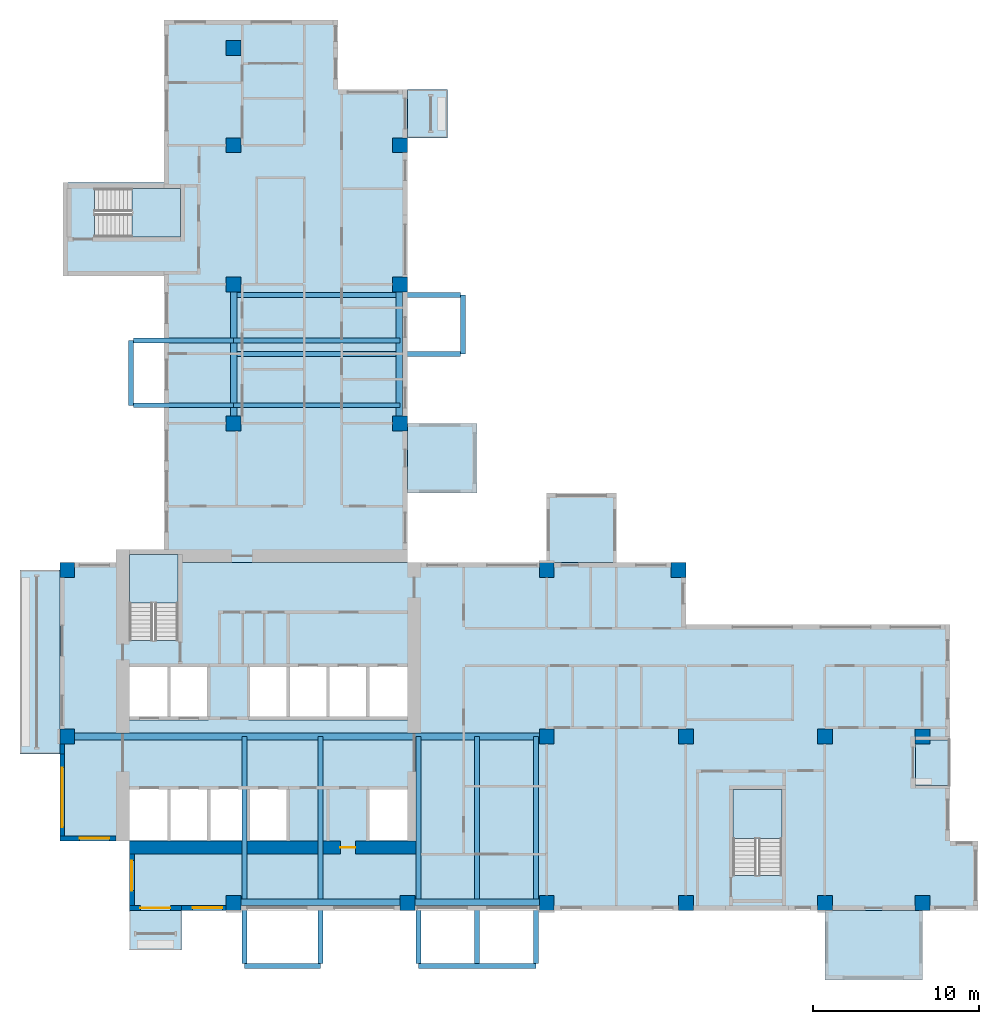
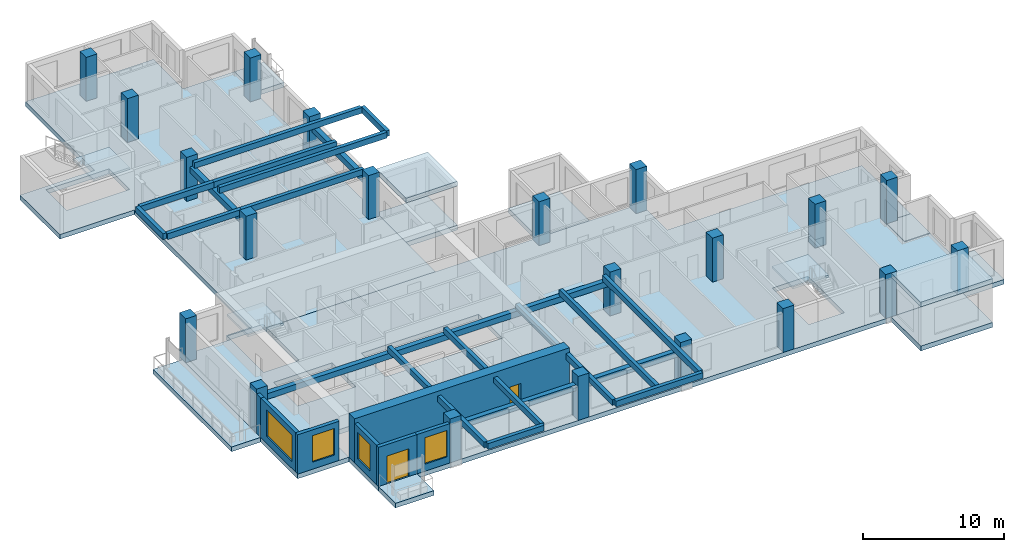
# One storey, part 1 of 12: 21 columns, 20 beams, 14 slabs, 7 walls, 4 windows, 2 doors, 6 openings, 3 elements without a shape of their own.
"""IFC4 building model written with IfcOpenShell, lengths in metres."""

from ifc_helpers import new_model, si_unit, direction, frame, frame_2d, origin, origin_2d, place, context, subcontext, project, spatial, polyline, rectangle, outline, extrude, source, transform, mapped, material, layer, layer_set, material_profile, profile_set, type_object, element, fill, aggregate, save


model = new_model("IFC4")

# Units and contexts
model_context = context("Model", 3, precision=1e-05, world=origin(), true_north=direction((0.0, 1.0)))
body_context = subcontext(model_context, "Body", "Model", "MODEL_VIEW")
ifc_project = project(units=[si_unit("LENGTHUNIT", "METRE"), si_unit("AREAUNIT", "SQUARE_METRE"), si_unit("VOLUMEUNIT", "CUBIC_METRE"), si_unit("PLANEANGLEUNIT", "RADIAN"), si_unit("MASSUNIT", "GRAM", prefix="KILO")], contexts=[model_context])

# Site, building, storey
site_placement = place(None, origin())
site = spatial("IfcSite", under=ifc_project, at=site_placement, CompositionType="ELEMENT")
building_placement = place(site_placement, origin())
building = spatial("IfcBuilding", under=site, at=building_placement, Name="Aurelian Terraces", CompositionType="ELEMENT")
storey_placement = place(building_placement, frame((0.0, 0.0, 215.8)))
storey = spatial("IfcBuildingStorey", under=building, at=storey_placement, Name="L48", CompositionType="ELEMENT", Elevation=215.8)

# Columns
ifc_material_1 = material(Name="Concrete fc' 70 MPa", Category="concrete")
ifc_material_profile_1 = material_profile(ifc_material_1, rectangle(XDim=0.9, YDim=0.9, at=origin_2d()))
ifc_profile_set_1 = profile_set([ifc_material_profile_1], Name="Concrete fc' 70 MPa")
column_type = type_object("IfcColumnType", Name="RC COLUMN 900X900 FC70", PredefinedType="COLUMN", material=ifc_profile_set_1)
shared_shape_1 = source(origin(), body_context, "Body", "SweptSolid", [
    extrude(rectangle(XDim=0.9, YDim=0.9, at=origin_2d()), origin(), (0.0, 0.0, 1.0), 3.8),
])
for number, where, z_axis, x_axis, name in (
    (1, (10.5, 0.45, 0.0), (0.0, 0.0, 1.0), (1.0, 0.0, 0.0), "Column 2/A L48"),
    (2, (21.0, 0.45, 0.0), (0.0, 0.0, 1.0), (1.0, 0.0, 0.0), "Column 3/A L48"),
    (3, (29.4, 0.45, 0.0), (0.0, 0.0, 1.0), (1.0, 0.0, 0.0), "Column 4/A L48"),
    (4, (37.8, 0.45, 0.0), (0.0, 0.0, 1.0), (1.0, 0.0, 0.0), "Column 5/A L48"),
    (5, (46.2, 0.45, 0.0), (0.0, 0.0, 1.0), (1.0, 0.0, 0.0), "Column 6/A L48"),
    (6, (52.08, 0.45, 0.0), (0.0, 0.0, 1.0), (1.0, 0.0, 0.0), "Column 7/A L48"),
    (7, (0.45, 10.5, 0.0), (0.0, 0.0, 1.0), (1.0, 0.0, 0.0), "Column 1/B L48"),
    (8, (29.4, 10.5, 0.0), (0.0, 0.0, 1.0), (1.0, 0.0, 0.0), "Column 4/B L48"),
    (9, (37.8, 10.5, 0.0), (0.0, 0.0, 1.0), (1.0, 0.0, 0.0), "Column 5/B L48"),
    (10, (46.2, 10.5, 0.0), (0.0, 0.0, 1.0), (1.0, 0.0, 0.0), "Column 6/B L48"),
    (11, (52.08, 10.5, 0.0), (0.0, 0.0, 1.0), (1.0, 0.0, 0.0), "Column 7/B L48"),
    (12, (0.45, 20.55, 0.0), (0.0, 0.0, 1.0), (1.0, 0.0, 0.0), "Column 1/C L48"),
    (13, (29.4, 20.55, 0.0), (0.0, 0.0, 1.0), (1.0, 0.0, 0.0), "Column 4/C L48"),
    (14, (37.35, 20.55, 0.0), (0.0, 0.0, 1.0), (1.0, 0.0, 0.0), "Column 5/C L48"),
    (15, (10.5, 29.4, 0.0), (0.0, 0.0, 1.0), (1.0, 0.0, 0.0), "Column 2/D L48"),
    (16, (20.55, 29.4, 0.0), (0.0, 0.0, 1.0), (1.0, 0.0, 0.0), "Column 3/D L48"),
    (17, (10.5, 37.8, 0.0), (0.0, 0.0, 1.0), (1.0, 0.0, 0.0), "Column 2/E L48"),
    (18, (20.55, 37.8, 0.0), (0.0, 0.0, 1.0), (1.0, 0.0, 0.0), "Column 3/E L48"),
    (19, (10.5, 46.2, 0.0), (0.0, 0.0, 1.0), (1.0, 0.0, 0.0), "Column 2/F L48"),
    (20, (20.55, 46.2, 0.0), (0.0, 0.0, 1.0), (1.0, 0.0, 0.0), "Column 3/F L48"),
    (21, (10.5, 52.08, 0.0), (0.0, 0.0, 1.0), (1.0, 0.0, 0.0), "Column 2/G L48"),
):
    element("IfcColumn", number, at=place(storey_placement, frame(where, z_axis=z_axis, x_axis=x_axis)), inside=storey, type_object=column_type, Name=name, PredefinedType="COLUMN", context=body_context, shape_type="MappedRepresentation", body=[
        mapped(shared_shape_1, transform((0.0, 0.0, 0.0), scale=1.0)),
    ])

# Beams
ifc_material_2 = material(Name="Concrete fc' 40 MPa", Category="concrete")
ifc_material_profile_2 = material_profile(ifc_material_2, rectangle(XDim=0.3, YDim=0.5, at=origin_2d()))
ifc_profile_set_2 = profile_set([ifc_material_profile_2], Name="Concrete fc' 40 MPa")
beam_type_1 = type_object("IfcBeamType", Name="CONCRETE CANTILEVER BEAM 300X500", PredefinedType="BEAM", material=ifc_profile_set_2)
beam_1_placement = place(storey_placement, frame((21.65, -3.35, 3.15), z_axis=(1.0, 0.0, 0.0), x_axis=(0.0, 1.0, 0.0)))
element("IfcBeam", 22, at=beam_1_placement, inside=storey, type_object=beam_type_1, Name="Box tip beam J71", PredefinedType="BEAM", context=body_context, shape_type="SweptSolid", body=[
    extrude(rectangle(XDim=0.3, YDim=0.5, at=origin_2d()), origin(), (0.0, 0.0, 1.0), 7.1),
])
ifc_material_profile_3 = material_profile(ifc_material_2, rectangle(XDim=0.3, YDim=0.5, at=origin_2d()))
ifc_profile_set_3 = profile_set([ifc_material_profile_3], Name="Concrete fc' 40 MPa")
beam_type_2 = type_object("IfcBeamType", Name="CONCRETE BOX CANTILEVER BEAM 300X500", PredefinedType="BEAM", material=ifc_profile_set_3)
shared_shape_2 = source(origin(), body_context, "Body", "SweptSolid", [
    extrude(rectangle(XDim=0.3, YDim=0.5, at=origin_2d()), origin(), (0.0, 0.0, 1.0), 6.05),
])
for number, where, z_axis, x_axis, name in (
    (23, (4.45, 30.5, 3.15), (1.0, 0.0, 0.0), (0.0, 1.0, 0.0), "Box cantilever beam J73.1"),
    (24, (4.45, 34.4, 3.15), (1.0, 0.0, 0.0), (0.0, 1.0, 0.0), "Box cantilever beam J73.2"),
):
    element("IfcBeam", number, at=place(storey_placement, frame(where, z_axis=z_axis, x_axis=x_axis)), inside=storey, type_object=beam_type_2, Name=name, PredefinedType="BEAM", context=body_context, shape_type="MappedRepresentation", body=[
        mapped(shared_shape_2, transform((0.0, 0.0, 0.0), scale=1.0)),
    ])
shared_shape_3 = source(origin(), body_context, "Body", "SweptSolid", [
    extrude(rectangle(XDim=0.3, YDim=0.5, at=origin_2d()), origin(), (0.0, 0.0, 1.0), 3.9),
])
beam_2_placement = place(storey_placement, frame((4.3, 30.5, 3.15), z_axis=(0.0, 1.0, 0.0), x_axis=(-1.0, 0.0, 0.0)))
element("IfcBeam", 25, at=beam_2_placement, inside=storey, type_object=beam_type_1, Name="Box tip beam J73", PredefinedType="BEAM", context=body_context, shape_type="MappedRepresentation", body=[
    mapped(shared_shape_3, transform((0.0, 0.0, 0.0), scale=1.0)),
])
shared_shape_4 = source(origin(), body_context, "Body", "SweptSolid", [
    extrude(rectangle(XDim=0.3, YDim=0.5, at=origin_2d()), origin(), (0.0, 0.0, 1.0), 13.7),
])
for number, where, z_axis, x_axis, name in (
    (26, (11.15, -3.2, 3.15), (0.0, 1.0, 0.0), (-1.0, 0.0, 0.0), "Box cantilever beam J70.1"),
    (27, (15.75, -3.2, 3.15), (0.0, 1.0, 0.0), (-1.0, 0.0, 0.0), "Box cantilever beam J70.2"),
    (28, (21.65, -3.2, 3.15), (0.0, 1.0, 0.0), (-1.0, 0.0, 0.0), "Box cantilever beam J71.1"),
    (29, (28.75, -3.2, 3.15), (0.0, 1.0, 0.0), (-1.0, 0.0, 0.0), "Box cantilever beam J71.2"),
    (30, (25.2, -3.2, 3.15), (0.0, 1.0, 0.0), (-1.0, 0.0, 0.0), "Box cantilever beam J71.m1"),
    (31, (24.2, 33.6, 3.15), (-1.0, 0.0, 0.0), (0.0, -1.0, 0.0), "Box cantilever beam J72.1"),
    (32, (24.2, 37.15, 3.15), (-1.0, 0.0, 0.0), (0.0, -1.0, 0.0), "Box cantilever beam J72.2"),
):
    element("IfcBeam", number, at=place(storey_placement, frame(where, z_axis=z_axis, x_axis=x_axis)), inside=storey, type_object=beam_type_1, Name=name, PredefinedType="BEAM", context=body_context, shape_type="MappedRepresentation", body=[
        mapped(shared_shape_4, transform((0.0, 0.0, 0.0), scale=1.0)),
    ])
ifc_material_profile_4 = material_profile(ifc_material_2, rectangle(XDim=0.4, YDim=0.5, at=origin_2d()))
ifc_profile_set_4 = profile_set([ifc_material_profile_4], Name="Concrete fc' 40 MPa")
beam_type_3 = type_object("IfcBeamType", Name="CONCRETE EDGE GIRDER 400X500", PredefinedType="BEAM", material=ifc_profile_set_4)
shared_shape_5 = source(origin(), body_context, "Body", "SweptSolid", [
    extrude(rectangle(XDim=0.4, YDim=0.5, at=origin_2d()), origin(), (0.0, 0.0, 1.0), 7.5),
])
for number, where, z_axis, x_axis, name in (
    (33, (21.45, 0.5, 2.65), (1.0, 0.0, 0.0), (0.0, 1.0, 0.0), "Box girder L48 O142"),
    (34, (20.5, 29.85, 2.65), (0.0, 1.0, 0.0), (-1.0, 0.0, 0.0), "Box girder L48 O143"),
    (35, (10.5, 29.85, 2.65), (0.0, 1.0, 0.0), (-1.0, 0.0, 0.0), "Box girder L48 I144"),
):
    element("IfcBeam", number, at=place(storey_placement, frame(where, z_axis=z_axis, x_axis=x_axis)), inside=storey, type_object=beam_type_3, Name=name, PredefinedType="BEAM", context=body_context, shape_type="MappedRepresentation", body=[
        mapped(shared_shape_5, transform((0.0, 0.0, 0.0), scale=1.0)),
    ])
shared_shape_6 = source(origin(), body_context, "Body", "SweptSolid", [
    extrude(rectangle(XDim=0.3, YDim=0.5, at=origin_2d()), origin(), (0.0, 0.0, 1.0), 3.55),
])
beam_3_placement = place(storey_placement, frame((24.35, 33.6, 3.15), z_axis=(0.0, 1.0, 0.0), x_axis=(-1.0, 0.0, 0.0)))
element("IfcBeam", 36, at=beam_3_placement, inside=storey, type_object=beam_type_1, Name="Box tip beam J72", PredefinedType="BEAM", context=body_context, shape_type="MappedRepresentation", body=[
    mapped(shared_shape_6, transform((0.0, 0.0, 0.0), scale=1.0)),
])
shared_shape_7 = source(origin(), body_context, "Body", "SweptSolid", [
    extrude(rectangle(XDim=0.4, YDim=0.5, at=origin_2d()), origin(), (0.0, 0.0, 1.0), 28.05),
])
beam_4_placement = place(storey_placement, frame((0.9, 10.5, 2.65), z_axis=(1.0, 0.0, 0.0), x_axis=(0.0, 1.0, 0.0)))
element("IfcBeam", 37, at=beam_4_placement, inside=storey, type_object=beam_type_3, Name="Box girder L48 I141", PredefinedType="BEAM", context=body_context, shape_type="MappedRepresentation", body=[
    mapped(shared_shape_7, transform((0.0, 0.0, 0.0), scale=1.0)),
])
shared_shape_8 = source(origin(), body_context, "Body", "SweptSolid", [
    extrude(rectangle(XDim=0.4, YDim=0.5, at=origin_2d()), origin(), (0.0, 0.0, 1.0), 9.6),
])
beam_5_placement = place(storey_placement, frame((10.95, 0.5, 2.65), z_axis=(1.0, 0.0, 0.0), x_axis=(0.0, 1.0, 0.0)))
element("IfcBeam", 38, at=beam_5_placement, inside=storey, type_object=beam_type_3, Name="Box girder L48 O140", PredefinedType="BEAM", context=body_context, shape_type="MappedRepresentation", body=[
    mapped(shared_shape_8, transform((0.0, 0.0, 0.0), scale=1.0)),
])
shared_shape_9 = source(origin(), body_context, "Body", "SweptSolid", [
    extrude(rectangle(XDim=0.3, YDim=0.5, at=origin_2d()), origin(), (0.0, 0.0, 1.0), 4.6),
])
beam_6_placement = place(storey_placement, frame((11.15, -3.35, 3.15), z_axis=(1.0, 0.0, 0.0), x_axis=(0.0, 1.0, 0.0)))
element("IfcBeam", 39, at=beam_6_placement, inside=storey, type_object=beam_type_1, Name="Box tip beam J70", PredefinedType="BEAM", context=body_context, shape_type="MappedRepresentation", body=[
    mapped(shared_shape_9, transform((0.0, 0.0, 0.0), scale=1.0)),
])
shared_shape_10 = source(origin(), body_context, "Body", "SweptSolid", [
    extrude(rectangle(XDim=0.3, YDim=0.5, at=origin_2d()), origin(), (0.0, 0.0, 1.0), 10.05),
])
for number, where, z_axis, x_axis, name in (
    (40, (10.5, 30.5, 3.15), (1.0, 0.0, 0.0), (0.0, 1.0, 0.0), "Box back-span beam J73.1"),
    (41, (10.5, 34.4, 3.15), (1.0, 0.0, 0.0), (0.0, 1.0, 0.0), "Box back-span beam J73.2"),
):
    element("IfcBeam", number, at=place(storey_placement, frame(where, z_axis=z_axis, x_axis=x_axis)), inside=storey, type_object=beam_type_1, Name=name, PredefinedType="BEAM", context=body_context, shape_type="MappedRepresentation", body=[
        mapped(shared_shape_10, transform((0.0, 0.0, 0.0), scale=1.0)),
    ])

# Slabs
ifc_material_3 = material(Name="Granite paving", Category="masonry")
ifc_layer_1 = layer(ifc_material_3, 0.05)
ifc_layer_set_1 = layer_set([ifc_layer_1], Name="Loggia paving 50")
slab_type_1 = type_object("IfcSlabType", Name="Loggia paving 50", PredefinedType="NOTDEFINED", material=ifc_layer_set_1)
slab_1_placement = place(storey_placement, origin())
element("IfcSlab", 42, at=slab_1_placement, inside=storey, type_object=slab_type_1, Name="Loggia floor L48 F04.12", PredefinedType="NOTDEFINED", context=body_context, shape_type="SweptSolid", body=[
    extrude(outline(polyline([(53.76, 7.55), (53.76, 10.3), (51.66, 10.3), (51.66, 7.55), (53.76, 7.55)])), origin(), (0.0, 0.0, 1.0), 0.05),
])
ifc_layer_2 = layer(ifc_material_2, 0.4)
ifc_layer_set_2 = layer_set([ifc_layer_2], Name="PT FLAT PLATE 400")
slab_type_2 = type_object("IfcSlabType", Name="PT FLAT PLATE 400", PredefinedType="FLOOR", material=ifc_layer_set_2)
slab_2_placement = place(storey_placement, frame((0.0, 0.0, -0.4)))
element("IfcSlab", 43, at=slab_2_placement, inside=storey, type_object=slab_type_2, Name="Floor slab S L48", PredefinedType="FLOOR", context=body_context, shape_type="SweptSolid", body=[
    extrude(outline(polyline([(21.0, 0.0), (4.2, 0.0), (4.2, 4.2), (0.0, 4.2), (0.0, 21.0), (4.21, 21.0), (4.21, 16.31), (7.14, 16.31), (7.14, 21.0), (21.0, 21.0), (37.8, 21.0), (37.8, 17.25), (53.76, 17.25), (53.76, 4.2), (55.44, 4.2), (55.44, 0.0), (21.0, 0.0)]), holes=[polyline([(40.66, 2.11), (43.59, 2.11), (43.59, 7.29), (40.66, 7.29), (40.66, 2.11)]), polyline([(18.61, 7.49), (18.61, 4.21), (20.99, 4.21), (20.99, 7.49), (18.61, 7.49)]), polyline([(20.99, 14.89), (11.41, 14.89), (11.41, 11.51), (20.99, 11.51), (20.99, 14.89)]), polyline([(4.21, 7.49), (4.21, 4.21), (13.79, 4.21), (13.79, 7.49), (4.21, 7.49)]), polyline([(4.21, 14.89), (4.21, 11.51), (8.99, 11.51), (8.99, 14.89), (4.21, 14.89)])]), origin(), (0.0, 0.0, 1.0), 0.4),
])
shared_shape_11 = source(origin(), body_context, "Body", "SweptSolid", [
    extrude(outline(polyline([(6.3, 43.95), (6.3, 49.56), (6.3, 53.76), (10.5, 53.76), (16.8, 53.76), (16.8, 49.56), (21.0, 49.56), (21.0, 21.0), (7.14, 21.0), (7.14, 21.49), (4.21, 21.49), (4.21, 21.0), (4.2, 21.0), (4.2, 21.6), (6.3, 21.6), (6.3, 38.3), (0.2, 38.3), (0.2, 43.95), (6.3, 43.95)]), holes=[polyline([(7.29, 43.59), (2.11, 43.59), (2.11, 40.66), (7.29, 40.66), (7.29, 43.59)])]), origin(), (0.0, 0.0, 1.0), 0.4),
])
slab_3_placement = place(storey_placement, frame((0.0, 0.0, -0.4)))
element("IfcSlab", 44, at=slab_3_placement, inside=storey, type_object=slab_type_2, Name="Floor slab W L48", PredefinedType="FLOOR", context=body_context, shape_type="MappedRepresentation", body=[
    mapped(shared_shape_11, transform((0.0, 0.0, 0.0), scale=1.0)),
])
ifc_layer_3 = layer(ifc_material_2, 0.41)
ifc_layer_set_3 = layer_set([ifc_layer_3], Name="Box floor 410")
slab_type_3 = type_object("IfcSlabType", Name="Box floor 410", PredefinedType="NOTDEFINED", material=ifc_layer_set_3)
shared_shape_12 = source(origin(), body_context, "Body", "SweptSolid", [
    extrude(outline(polyline([(46.2, -4.2), (52.08, -4.2), (52.08, 0.0), (46.2, 0.0), (46.2, -4.2)])), origin(), (0.0, 0.0, 1.0), 0.41),
])
slab_4_placement = place(storey_placement, frame((0.0, 0.0, -0.41)))
element("IfcSlab", 45, at=slab_4_placement, inside=storey, type_object=slab_type_3, Name="Box floor L48 J67", PredefinedType="NOTDEFINED", context=body_context, shape_type="MappedRepresentation", body=[
    mapped(shared_shape_12, transform((0.0, 0.0, 0.0), scale=1.0)),
])
ifc_layer_4 = layer(ifc_material_2, 0.4)
ifc_layer_set_4 = layer_set([ifc_layer_4], Name="Box roof 400")
slab_type_4 = type_object("IfcSlabType", Name="Box roof 400", PredefinedType="ROOF", material=ifc_layer_set_4)
shared_shape_13 = source(origin(), body_context, "Body", "SweptSolid", [
    extrude(outline(polyline([(46.2, -4.2), (52.08, -4.2), (52.08, 0.0), (46.2, 0.0), (46.2, -4.2)])), origin(), (0.0, 0.0, 1.0), 0.4),
])
slab_5_placement = place(storey_placement, frame((0.0, 0.0, 3.4)))
element("IfcSlab", 46, at=slab_5_placement, inside=storey, type_object=slab_type_4, Name="Box roof J67", PredefinedType="ROOF", context=body_context, shape_type="MappedRepresentation", body=[
    mapped(shared_shape_13, transform((0.0, 0.0, 0.0), scale=1.0)),
])
shared_shape_14 = source(origin(), body_context, "Body", "SweptSolid", [
    extrude(outline(polyline([(25.2, 25.2), (25.2, 29.4), (21.0, 29.4), (21.0, 25.2), (25.2, 25.2)])), origin(), (0.0, 0.0, 1.0), 0.41),
])
slab_6_placement = place(storey_placement, frame((0.0, 0.0, -0.41)))
element("IfcSlab", 47, at=slab_6_placement, inside=storey, type_object=slab_type_3, Name="Box floor L48 J68", PredefinedType="NOTDEFINED", context=body_context, shape_type="MappedRepresentation", body=[
    mapped(shared_shape_14, transform((0.0, 0.0, 0.0), scale=1.0)),
])
shared_shape_15 = source(origin(), body_context, "Body", "SweptSolid", [
    extrude(outline(polyline([(25.2, 25.2), (25.2, 29.4), (21.0, 29.4), (21.0, 25.2), (25.2, 25.2)])), origin(), (0.0, 0.0, 1.0), 0.4),
])
slab_7_placement = place(storey_placement, frame((0.0, 0.0, 3.4)))
element("IfcSlab", 48, at=slab_7_placement, inside=storey, type_object=slab_type_4, Name="Box roof J68", PredefinedType="ROOF", context=body_context, shape_type="MappedRepresentation", body=[
    mapped(shared_shape_15, transform((0.0, 0.0, 0.0), scale=1.0)),
])
shared_shape_16 = source(origin(), body_context, "Body", "SweptSolid", [
    extrude(outline(polyline([(33.6, 25.2), (29.4, 25.2), (29.4, 21.0), (33.6, 21.0), (33.6, 25.2)])), origin(), (0.0, 0.0, 1.0), 0.41),
])
slab_8_placement = place(storey_placement, frame((0.0, 0.0, -0.41)))
element("IfcSlab", 49, at=slab_8_placement, inside=storey, type_object=slab_type_3, Name="Box floor L48 J69", PredefinedType="NOTDEFINED", context=body_context, shape_type="MappedRepresentation", body=[
    mapped(shared_shape_16, transform((0.0, 0.0, 0.0), scale=1.0)),
])
ifc_layer_5 = layer(ifc_material_2, 0.4)
ifc_layer_set_5 = layer_set([ifc_layer_5], Name="Balcony slab 400")
slab_type_5 = type_object("IfcSlabType", Name="Balcony slab 400", PredefinedType="NOTDEFINED", material=ifc_layer_set_5)
shared_shape_17 = source(origin(), body_context, "Body", "SweptSolid", [
    extrude(outline(polyline([(4.2, 0.0), (7.35, 0.0), (7.35, -2.4), (4.2, -2.4), (4.2, 0.0)])), origin(), (0.0, 0.0, 1.0), 0.4),
])
slab_9_placement = place(storey_placement, frame((0.0, 0.0, -0.4)))
element("IfcSlab", 50, at=slab_9_placement, inside=storey, type_object=slab_type_5, Name="Balcony slab L48 F01.1", PredefinedType="NOTDEFINED", context=body_context, shape_type="MappedRepresentation", body=[
    mapped(shared_shape_17, transform((0.0, 0.0, 0.0), scale=1.0)),
])
shared_shape_18 = source(origin(), body_context, "Body", "SweptSolid", [
    extrude(outline(polyline([(21.0, 46.65), (21.0, 49.56), (23.4, 49.56), (23.4, 46.65), (21.0, 46.65)])), origin(), (0.0, 0.0, 1.0), 0.4),
])
slab_10_placement = place(storey_placement, frame((0.0, 0.0, -0.4)))
element("IfcSlab", 51, at=slab_10_placement, inside=storey, type_object=slab_type_5, Name="Balcony slab L48 F08.22", PredefinedType="NOTDEFINED", context=body_context, shape_type="MappedRepresentation", body=[
    mapped(shared_shape_18, transform((0.0, 0.0, 0.0), scale=1.0)),
])
shared_shape_19 = source(origin(), body_context, "Body", "SweptSolid", [
    extrude(outline(polyline([(0.0, 20.55), (0.0, 9.45), (-2.4, 9.45), (-2.4, 20.55), (0.0, 20.55)])), origin(), (0.0, 0.0, 1.0), 0.4),
])
slab_11_placement = place(storey_placement, frame((0.0, 0.0, -0.4)))
element("IfcSlab", 52, at=slab_11_placement, inside=storey, type_object=slab_type_5, Name="Balcony slab L48 F20.35", PredefinedType="NOTDEFINED", context=body_context, shape_type="MappedRepresentation", body=[
    mapped(shared_shape_19, transform((0.0, 0.0, 0.0), scale=1.0)),
])

# Stair, slab
stair_type = type_object("IfcStairType", Name="Stair 1400", PredefinedType="HALF_TURN_STAIR", material=ifc_material_2)
stair_1_placement = place(storey_placement, origin())
stair_1 = element("IfcStair", 53, at=stair_1_placement, inside=storey, type_object=stair_type, Name="L48 S1", PredefinedType="HALF_TURN_STAIR")
ifc_layer_6 = layer(ifc_material_2, 0.2)
ifc_layer_set_6 = layer_set([ifc_layer_6], Name="Stair landing 200")
slab_type_6 = type_object("IfcSlabType", Name="Stair landing 200", PredefinedType="LANDING", material=ifc_layer_set_6)
shared_shape_20 = source(origin(), body_context, "Body", "SweptSolid", [
    extrude(outline(polyline([(7.15, 18.55), (7.15, 21.5), (4.2, 21.5), (4.2, 18.55), (7.15, 18.55)])), origin(), (0.0, 0.0, 1.0), 0.2),
])
slab_12_placement = place(storey_placement, frame((0.0, 0.0, 1.7)))
slab_12 = element("IfcSlab", 54, at=slab_12_placement, type_object=slab_type_6, Name="S1 landing 1", PredefinedType="LANDING", context=body_context, shape_type="MappedRepresentation", body=[
    mapped(shared_shape_20, transform((0.0, 0.0, 0.0), scale=1.0)),
])
aggregate(stair_1, [slab_12])

stair_2_placement = place(storey_placement, origin())
stair_2 = element("IfcStair", 55, at=stair_2_placement, inside=storey, type_object=stair_type, Name="L48 S2", PredefinedType="HALF_TURN_STAIR")
shared_shape_21 = source(origin(), body_context, "Body", "SweptSolid", [
    extrude(outline(polyline([(43.6, 4.35), (43.6, 7.3), (40.65, 7.3), (40.65, 4.35), (43.6, 4.35)])), origin(), (0.0, 0.0, 1.0), 0.2),
])
slab_13_placement = place(storey_placement, frame((0.0, 0.0, 1.7)))
slab_13 = element("IfcSlab", 56, at=slab_13_placement, type_object=slab_type_6, Name="S2 landing 1", PredefinedType="LANDING", context=body_context, shape_type="MappedRepresentation", body=[
    mapped(shared_shape_21, transform((0.0, 0.0, 0.0), scale=1.0)),
])
aggregate(stair_2, [slab_13])

stair_3_placement = place(storey_placement, origin())
stair_3 = element("IfcStair", 57, at=stair_3_placement, inside=storey, type_object=stair_type, Name="L48 S3", PredefinedType="HALF_TURN_STAIR")
shared_shape_22 = source(origin(), body_context, "Body", "SweptSolid", [
    extrude(outline(polyline([(4.35, 40.65), (7.3, 40.65), (7.3, 43.6), (4.35, 43.6), (4.35, 40.65)])), origin(), (0.0, 0.0, 1.0), 0.2),
])
slab_14_placement = place(storey_placement, frame((0.0, 0.0, 1.7)))
slab_14 = element("IfcSlab", 58, at=slab_14_placement, type_object=slab_type_6, Name="S3 landing 1", PredefinedType="LANDING", context=body_context, shape_type="MappedRepresentation", body=[
    mapped(shared_shape_22, transform((0.0, 0.0, 0.0), scale=1.0)),
])
aggregate(stair_3, [slab_14])

# Wall, opening, door
ifc_layer_7 = layer(ifc_material_1, 0.8)
ifc_layer_set_7 = layer_set([ifc_layer_7], Name="CORE WALL 800 FC70")
wall_type_1 = type_object("IfcWallType", Name="CORE WALL 800 FC70", PredefinedType="SHEAR", material=ifc_layer_set_7)
shared_shape_23 = source(origin(), body_context, "Body", "SweptSolid", [
    extrude(rectangle(XDim=17.6, YDim=0.8, at=frame_2d((8.8, 0.0))), origin(), (0.0, 0.0, 1.0), 3.8),
])
wall_1_placement = place(storey_placement, frame((4.2, 3.8, 0.0), z_axis=(0.0, 0.0, 1.0), x_axis=(1.0, 0.0, 0.0)))
wall_1 = element("IfcWall", 59, at=wall_1_placement, inside=storey, type_object=wall_type_1, Name="Core wall S L48", PredefinedType="SHEAR", context=body_context, shape_type="MappedRepresentation", body=[
    mapped(shared_shape_23, transform((0.0, 0.0, 0.0), scale=1.0)),
])
shared_shape_24 = source(origin(), body_context, "Body", "SweptSolid", [
    extrude(rectangle(XDim=0.9, YDim=2.1, at=frame_2d((0.45, 1.05))), frame((0.0, 0.41, 0.0), z_axis=(0.0, -1.0, 0.0), x_axis=(1.0, 0.0, 0.0)), (0.0, 0.0, 1.0), 0.82),
])
opening_1_placement = place(wall_1_placement, frame((12.75, 0.0, 0.0)))
opening_1 = element("IfcOpeningElement", 60, at=opening_1_placement, cuts=wall_1, Name="Opening 65127", PredefinedType="OPENING", context=body_context, shape_type="MappedRepresentation", body=[
    mapped(shared_shape_24, transform((0.0, 0.0, 0.0), scale=1.0)),
])
ifc_material_4 = material(Name="Steel door leaf", Category="steel")
door_type_1 = type_object("IfcDoorType", Name="Core service door 900x2100 right", OperationType="SINGLE_SWING_RIGHT", PredefinedType="DOOR", material=ifc_material_4)
shared_shape_25 = source(origin(), body_context, "Body", "SweptSolid", [
    extrude(rectangle(XDim=0.9, YDim=2.1, at=frame_2d((0.45, 1.05))), frame((0.0, 0.025, 0.0), z_axis=(0.0, -1.0, 0.0), x_axis=(1.0, 0.0, 0.0)), (0.0, 0.0, 1.0), 0.05),
])
door_1_placement = place(opening_1_placement, origin())
door_1 = element("IfcDoor", 61, at=door_1_placement, inside=storey, type_object=door_type_1, Name="Core door 65127", OperationType="SINGLE_SWING_RIGHT", OverallHeight=2.1, OverallWidth=0.9, PredefinedType="DOOR", context=body_context, shape_type="MappedRepresentation", body=[
    mapped(shared_shape_25, transform((0.0, 0.0, 0.0), scale=1.0)),
])
fill(opening_1, door_1)

# Wall, opening, window
ifc_material_5 = material(Name="Terracotta rainscreen cladding", Category="masonry")
ifc_layer_8 = layer(ifc_material_5, 0.3)
ifc_layer_set_8 = layer_set([ifc_layer_8], Name="EW-300")
wall_type_2 = type_object("IfcWallType", Name="EW-300", PredefinedType="STANDARD", material=ifc_layer_set_8)
shared_shape_26 = source(origin(), body_context, "Body", "SweptSolid", [
    extrude(rectangle(XDim=3.4, YDim=0.3, at=frame_2d((1.7, 0.0))), origin(), (0.0, 0.0, 1.0), 3.4),
])
wall_2_placement = place(storey_placement, frame((0.0, 4.35, 0.0), z_axis=(0.0, 0.0, 1.0), x_axis=(1.0, 0.0, 0.0)))
wall_2 = element("IfcWall", 62, at=wall_2_placement, inside=storey, type_object=wall_type_2, Name="External wall L48 F21.37", PredefinedType="STANDARD", context=body_context, shape_type="MappedRepresentation", body=[
    mapped(shared_shape_26, transform((0.0, 0.0, 0.0), scale=1.0)),
])
shared_shape_27 = source(origin(), body_context, "Body", "SweptSolid", [
    extrude(rectangle(XDim=1.8, YDim=2.3, at=frame_2d((0.9, 1.15))), frame((0.0, 0.16, 0.0), z_axis=(0.0, -1.0, 0.0), x_axis=(1.0, 0.0, 0.0)), (0.0, 0.0, 1.0), 0.32),
])
opening_2_placement = place(wall_2_placement, frame((1.2, 0.0, 0.6)))
opening_2 = element("IfcOpeningElement", 63, at=opening_2_placement, cuts=wall_2, Name="Opening W1823", PredefinedType="OPENING", context=body_context, shape_type="MappedRepresentation", body=[
    mapped(shared_shape_27, transform((0.0, 0.0, 0.0), scale=1.0)),
])
ifc_material_6 = material(Name="Clear glazing", Category="glass")
window_type_1 = type_object("IfcWindowType", Name="W-1800x2300", PartitioningType="SINGLE_PANEL", PredefinedType="WINDOW", material=ifc_material_6)
shared_shape_28 = source(origin(), body_context, "Body", "SweptSolid", [
    extrude(rectangle(XDim=1.8, YDim=2.3, at=frame_2d((0.9, 1.15))), frame((0.0, 0.03, 0.0), z_axis=(0.0, -1.0, 0.0), x_axis=(1.0, 0.0, 0.0)), (0.0, 0.0, 1.0), 0.06),
])
window_1_placement = place(opening_2_placement, origin())
window_1 = element("IfcWindow", 64, at=window_1_placement, inside=storey, type_object=window_type_1, Name="Window L48 L48-F21-37-0", OverallHeight=2.3, OverallWidth=1.8, PartitioningType="SINGLE_PANEL", PredefinedType="WINDOW", context=body_context, shape_type="MappedRepresentation", body=[
    mapped(shared_shape_28, transform((0.0, 0.0, 0.0), scale=1.0)),
])
fill(opening_2, window_1)

wall_3_placement = place(storey_placement, frame((4.35, 3.4, 0.0), z_axis=(0.0, 0.0, 1.0), x_axis=(0.0, -1.0, 0.0)))
wall_3 = element("IfcWall", 65, at=wall_3_placement, inside=storey, type_object=wall_type_2, Name="External wall L48 F22.38", PredefinedType="STANDARD", context=body_context, shape_type="MappedRepresentation", body=[
    mapped(shared_shape_26, transform((0.0, 0.0, 0.0), scale=1.0)),
])
opening_3_placement = place(wall_3_placement, frame((0.4, 0.0, 0.6)))
opening_3 = element("IfcOpeningElement", 66, at=opening_3_placement, cuts=wall_3, Name="Opening W1823", PredefinedType="OPENING", context=body_context, shape_type="MappedRepresentation", body=[
    mapped(shared_shape_27, transform((0.0, 0.0, 0.0), scale=1.0)),
])
window_2_placement = place(opening_3_placement, origin())
window_2 = element("IfcWindow", 67, at=window_2_placement, inside=storey, type_object=window_type_1, Name="Window L48 L48-F22-38-0", OverallHeight=2.3, OverallWidth=1.8, PartitioningType="SINGLE_PANEL", PredefinedType="WINDOW", context=body_context, shape_type="MappedRepresentation", body=[
    mapped(shared_shape_28, transform((0.0, 0.0, 0.0), scale=1.0)),
])
fill(opening_3, window_2)

# Wall, opening, door
shared_shape_29 = source(origin(), body_context, "Body", "SweptSolid", [
    extrude(rectangle(XDim=3.15, YDim=0.3, at=frame_2d((1.575, 0.0))), origin(), (0.0, 0.0, 1.0), 3.4),
])
wall_4_placement = place(storey_placement, frame((4.2, 0.15, 0.0), z_axis=(0.0, 0.0, 1.0), x_axis=(1.0, 0.0, 0.0)))
wall_4 = element("IfcWall", 68, at=wall_4_placement, inside=storey, type_object=wall_type_2, Name="External wall L48 F01.1", PredefinedType="STANDARD", context=body_context, shape_type="MappedRepresentation", body=[
    mapped(shared_shape_29, transform((0.0, 0.0, 0.0), scale=1.0)),
])
shared_shape_30 = source(origin(), body_context, "Body", "SweptSolid", [
    extrude(rectangle(XDim=1.8, YDim=2.4, at=frame_2d((0.9, 1.2))), frame((0.0, 0.16, 0.0), z_axis=(0.0, -1.0, 0.0), x_axis=(1.0, 0.0, 0.0)), (0.0, 0.0, 1.0), 0.32),
])
opening_4_placement = place(wall_4_placement, frame((0.675, 0.0, 0.0)))
opening_4 = element("IfcOpeningElement", 69, at=opening_4_placement, cuts=wall_4, Name="Opening 84801", PredefinedType="OPENING", context=body_context, shape_type="MappedRepresentation", body=[
    mapped(shared_shape_30, transform((0.0, 0.0, 0.0), scale=1.0)),
])
door_type_2 = type_object("IfcDoorType", Name="BD-1800x2400", OperationType="SLIDING_TO_LEFT", PredefinedType="DOOR", material=ifc_material_6)
shared_shape_31 = source(origin(), body_context, "Body", "SweptSolid", [
    extrude(rectangle(XDim=1.8, YDim=2.4, at=frame_2d((0.9, 1.2))), frame((0.0, 0.025, 0.0), z_axis=(0.0, -1.0, 0.0), x_axis=(1.0, 0.0, 0.0)), (0.0, 0.0, 1.0), 0.05),
])
door_2_placement = place(opening_4_placement, origin())
door_2 = element("IfcDoor", 70, at=door_2_placement, inside=storey, type_object=door_type_2, Name="Balcony door L48 F01.1", OperationType="SLIDING_TO_LEFT", OverallHeight=2.4, OverallWidth=1.8, PredefinedType="DOOR", context=body_context, shape_type="MappedRepresentation", body=[
    mapped(shared_shape_31, transform((0.0, 0.0, 0.0), scale=1.0)),
])
fill(opening_4, door_2)

# Wall, opening, window
shared_shape_32 = source(origin(), body_context, "Body", "SweptSolid", [
    extrude(rectangle(XDim=2.7, YDim=0.3, at=frame_2d((1.35, 0.0))), origin(), (0.0, 0.0, 1.0), 3.4),
])
wall_5_placement = place(storey_placement, frame((7.35, 0.15, 0.0), z_axis=(0.0, 0.0, 1.0), x_axis=(1.0, 0.0, 0.0)))
wall_5 = element("IfcWall", 71, at=wall_5_placement, inside=storey, type_object=wall_type_2, Name="External wall L48 F01.2", PredefinedType="STANDARD", context=body_context, shape_type="MappedRepresentation", body=[
    mapped(shared_shape_32, transform((0.0, 0.0, 0.0), scale=1.0)),
])
opening_5_placement = place(wall_5_placement, frame((0.675, 0.0, 0.6)))
opening_5 = element("IfcOpeningElement", 72, at=opening_5_placement, cuts=wall_5, Name="Opening W1823", PredefinedType="OPENING", context=body_context, shape_type="MappedRepresentation", body=[
    mapped(shared_shape_27, transform((0.0, 0.0, 0.0), scale=1.0)),
])
window_3_placement = place(opening_5_placement, origin())
window_3 = element("IfcWindow", 73, at=window_3_placement, inside=storey, type_object=window_type_1, Name="Window L48 L48-F01-02-0", OverallHeight=2.3, OverallWidth=1.8, PartitioningType="SINGLE_PANEL", PredefinedType="WINDOW", context=body_context, shape_type="MappedRepresentation", body=[
    mapped(shared_shape_28, transform((0.0, 0.0, 0.0), scale=1.0)),
])
fill(opening_5, window_3)

# Wall
shared_shape_33 = source(origin(), body_context, "Body", "SweptSolid", [
    extrude(rectangle(XDim=0.6, YDim=0.3, at=frame_2d((0.3, 0.0))), origin(), (0.0, 0.0, 1.0), 3.4),
])
wall_6_placement = place(storey_placement, frame((0.15, 10.05, 0.0), z_axis=(0.0, 0.0, 1.0), x_axis=(0.0, -1.0, 0.0)))
element("IfcWall", 74, at=wall_6_placement, inside=storey, type_object=wall_type_2, Name="External wall L48 F20.35", PredefinedType="STANDARD", context=body_context, shape_type="MappedRepresentation", body=[
    mapped(shared_shape_33, transform((0.0, 0.0, 0.0), scale=1.0)),
])

# Wall, opening, window
shared_shape_34 = source(origin(), body_context, "Body", "SweptSolid", [
    extrude(rectangle(XDim=5.25, YDim=0.3, at=frame_2d((2.625, 0.0))), origin(), (0.0, 0.0, 1.0), 3.4),
])
wall_7_placement = place(storey_placement, frame((0.15, 9.45, 0.0), z_axis=(0.0, 0.0, 1.0), x_axis=(0.0, -1.0, 0.0)))
wall_7 = element("IfcWall", 75, at=wall_7_placement, inside=storey, type_object=wall_type_2, Name="External wall L48 F20.36", PredefinedType="STANDARD", context=body_context, shape_type="MappedRepresentation", body=[
    mapped(shared_shape_34, transform((0.0, 0.0, 0.0), scale=1.0)),
])
shared_shape_35 = source(origin(), body_context, "Body", "SweptSolid", [
    extrude(rectangle(XDim=3.6, YDim=2.3, at=frame_2d((1.8, 1.15))), frame((0.0, 0.16, 0.0), z_axis=(0.0, -1.0, 0.0), x_axis=(1.0, 0.0, 0.0)), (0.0, 0.0, 1.0), 0.32),
])
opening_6_placement = place(wall_7_placement, frame((0.825, 0.0, 0.6)))
opening_6 = element("IfcOpeningElement", 76, at=opening_6_placement, cuts=wall_7, Name="Opening W3623", PredefinedType="OPENING", context=body_context, shape_type="MappedRepresentation", body=[
    mapped(shared_shape_35, transform((0.0, 0.0, 0.0), scale=1.0)),
])
window_type_2 = type_object("IfcWindowType", Name="W-3600x2300", PartitioningType="SINGLE_PANEL", PredefinedType="WINDOW", material=ifc_material_6)
shared_shape_36 = source(origin(), body_context, "Body", "SweptSolid", [
    extrude(rectangle(XDim=3.6, YDim=2.3, at=frame_2d((1.8, 1.15))), frame((0.0, 0.03, 0.0), z_axis=(0.0, -1.0, 0.0), x_axis=(1.0, 0.0, 0.0)), (0.0, 0.0, 1.0), 0.06),
])
window_4_placement = place(opening_6_placement, origin())
window_4 = element("IfcWindow", 77, at=window_4_placement, inside=storey, type_object=window_type_2, Name="Window L48 L48-F20-36-0", OverallHeight=2.3, OverallWidth=3.6, PartitioningType="SINGLE_PANEL", PredefinedType="WINDOW", context=body_context, shape_type="MappedRepresentation", body=[
    mapped(shared_shape_36, transform((0.0, 0.0, 0.0), scale=1.0)),
])
fill(opening_6, window_4)

save(model, "model.ifc")
